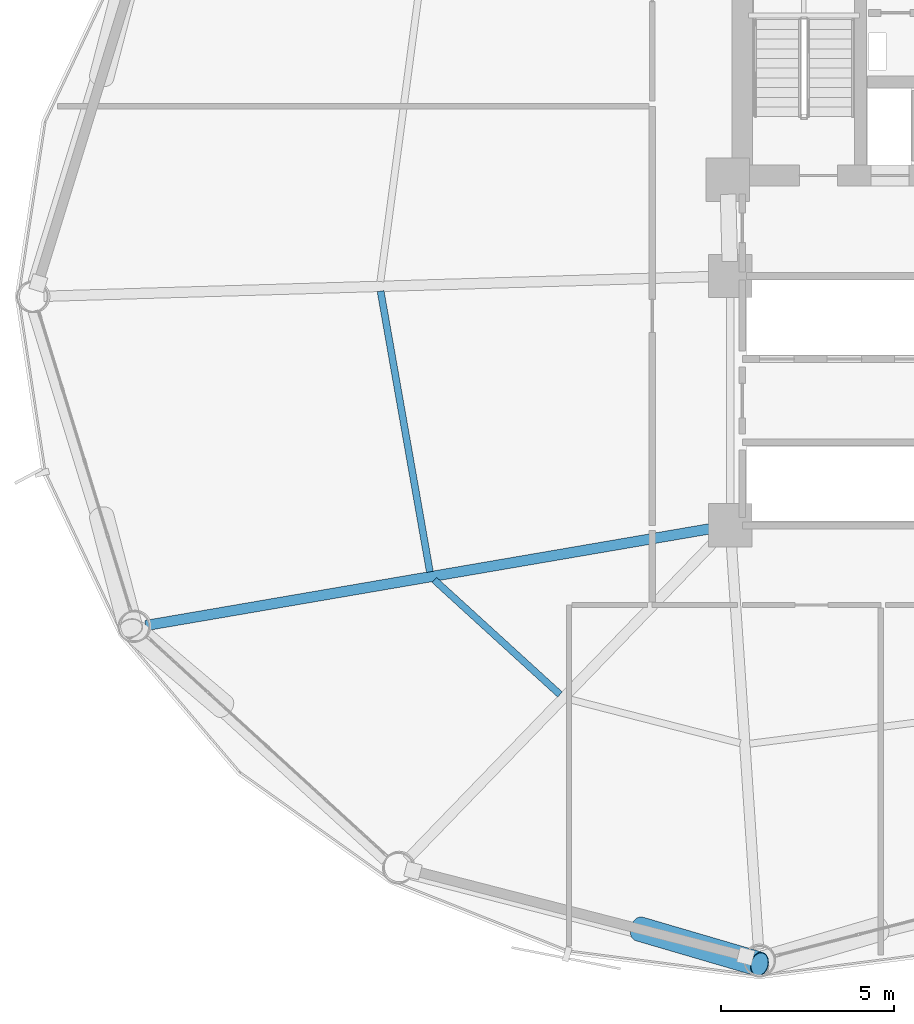
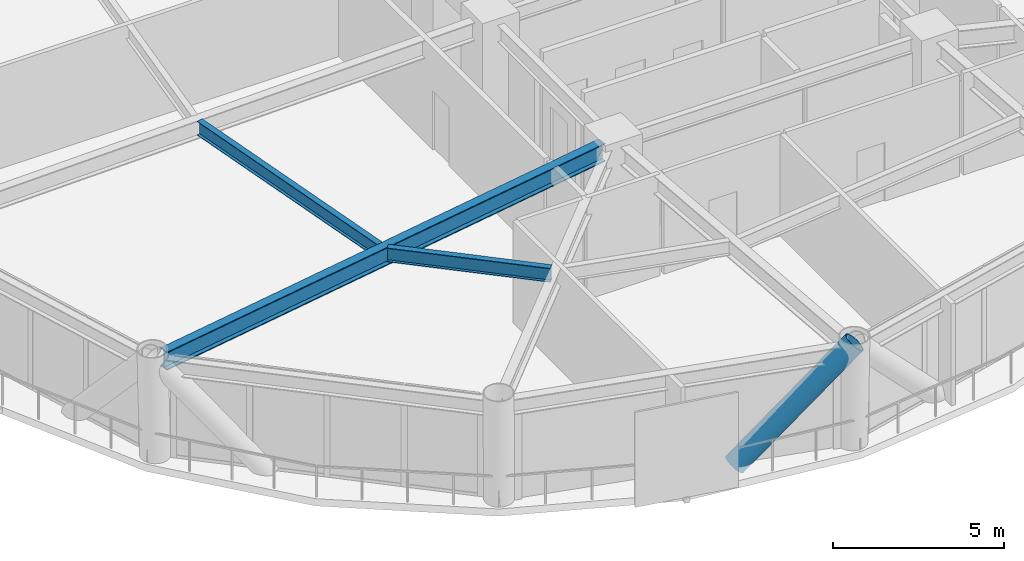
# One storey, part 6 of 26: 3 beams, 1 member.
"""IFC4 building model written with IfcOpenShell, lengths in metres."""

from ifc_helpers import new_model, si_unit, direction, frame, origin, origin_2d, place, context, subcontext, project, spatial, hollow_circle, i_section, extrude, material, material_profile, profile_set, type_object, element, save


model = new_model("IFC4")

# Units and contexts
model_context = context("Model", 3, precision=1e-05, world=origin(), true_north=direction((0.0, 1.0)))
body_context = subcontext(model_context, "Body", "Model", "MODEL_VIEW")
ifc_project = project(units=[si_unit("LENGTHUNIT", "METRE"), si_unit("AREAUNIT", "SQUARE_METRE"), si_unit("VOLUMEUNIT", "CUBIC_METRE"), si_unit("PLANEANGLEUNIT", "RADIAN"), si_unit("MASSUNIT", "GRAM", prefix="KILO")], contexts=[model_context])

# Site, building, storey
site_placement = place(None, origin())
site = spatial("IfcSite", under=ifc_project, at=site_placement, CompositionType="ELEMENT")
building_placement = place(site_placement, origin())
building = spatial("IfcBuilding", under=site, at=building_placement, Name="Varnakorn Sky Granary", CompositionType="ELEMENT")
storey_placement = place(building_placement, frame((0.0, 0.0, 47.10009765625)))
storey = spatial("IfcBuildingStorey", under=building, at=storey_placement, Name="L11", CompositionType="ELEMENT", Elevation=47.10009765625)

# Beams
ifc_material_1 = material(Name="Steel S355JR", Category="steel")
ifc_material_profile_1 = material_profile(ifc_material_1, i_section(OverallWidth=0.300048828125, OverallDepth=0.64990234375, WebThickness=0.01611328125, FlangeThickness=0.031005859375, at=origin_2d()), Name="HE 650 B")
ifc_profile_set_1 = profile_set([ifc_material_profile_1], Name="Steel S355JR")
beam_type_1 = type_object("IfcBeamType", Name="BM-RAD-Z1", PredefinedType="BEAM", material=ifc_profile_set_1)
beam_1_placement = place(storey_placement, frame((-2.763916015625, -6.6708984375, 3.31494140625), z_axis=(-0.985610777871, -0.169030750294, 0.0), x_axis=(0.169030750294, -0.985610777871, 0.0)))
element("IfcBeam", 1, at=beam_1_placement, inside=storey, type_object=beam_type_1, Name="Radial Floor Girder RG08 L11", PredefinedType="BEAM", context=body_context, shape_type="SweptSolid", body=[
    extrude(i_section(OverallWidth=0.300048828125, OverallDepth=0.64990234375, WebThickness=0.01611328125, FlangeThickness=0.031005859375, at=origin_2d()), origin(), (0.0, 0.0, 1.0), 16.7041015625),
])
ifc_material_profile_2 = material_profile(ifc_material_1, i_section(OverallWidth=0.199951171875, OverallDepth=0.5, WebThickness=0.01025390625, FlangeThickness=0.01611328125, at=origin_2d()), Name="IPE 500")
ifc_profile_set_2 = profile_set([ifc_material_profile_2], Name="Steel S355JR")
beam_type_2 = type_object("IfcBeamType", Name="BM-SEC-Z1", PredefinedType="BEAM", material=ifc_profile_set_2)
beam_2_placement = place(storey_placement, frame((-12.44384765625, 0.16259765625, 3.389892578125), z_axis=(0.172973127116, -0.984926544112, 0.0), x_axis=(0.984926544112, 0.172973127116, 0.0)))
element("IfcBeam", 2, at=beam_2_placement, inside=storey, type_object=beam_type_2, Name="Secondary Floor Chord Beam MSB07 L11", PredefinedType="BEAM", context=body_context, shape_type="SweptSolid", body=[
    extrude(i_section(OverallWidth=0.199951171875, OverallDepth=0.5, WebThickness=0.01025390625, FlangeThickness=0.01611328125, at=origin_2d()), origin(), (0.0, 0.0, 1.0), 8.2314453125),
])
beam_3_placement = place(storey_placement, frame((-10.892333984375, -8.177001953125, 3.389892578125), z_axis=(0.738974047441, -0.673733891984, 0.0), x_axis=(0.673733891984, 0.738974047441, 0.0)))
element("IfcBeam", 3, at=beam_3_placement, inside=storey, type_object=beam_type_2, Name="Secondary Floor Chord Beam MSB08 L11", PredefinedType="BEAM", context=body_context, shape_type="SweptSolid", body=[
    extrude(i_section(OverallWidth=0.199951171875, OverallDepth=0.5, WebThickness=0.01025390625, FlangeThickness=0.01611328125, at=origin_2d()), origin(), (0.0, 0.0, 1.0), 4.90966796875),
])

# Member
ifc_material_2 = material(Name="Steel S460M", Category="steel")
ifc_material_profile_3 = material_profile(ifc_material_2, hollow_circle(Radius=0.35546875, WallThickness=0.02490234375, at=origin_2d()), Name="CHS 711x25")
ifc_profile_set_3 = profile_set([ifc_material_profile_3], Name="Steel S460M")
member_type = type_object("IfcMemberType", Name="MB-DIAG-T0", PredefinedType="BRACE", material=ifc_profile_set_3)
member_placement = place(storey_placement, frame((-4.96923828125, -18.255859375, -0.130126953125), z_axis=(0.664181856484, -0.194720732872, 0.721766096258), x_axis=(0.281332622765, 0.95961031433, 0.0)))
element("IfcMember", 4, at=member_placement, inside=storey, type_object=member_type, Name="Perimeter CHS Diagrid Brace DG09 L11", PredefinedType="BRACE", context=body_context, shape_type="SweptSolid", body=[
    extrude(hollow_circle(Radius=0.35546875, WallThickness=0.02490234375, at=origin_2d()), origin(), (0.0, 0.0, 1.0), 5.223388671875),
])

save(model, "model.ifc")
